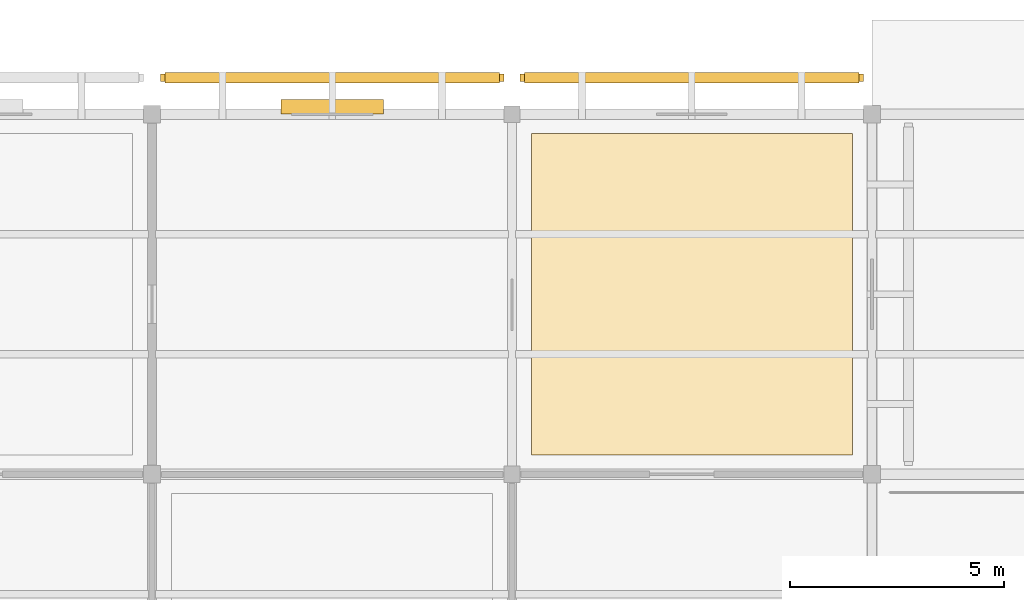
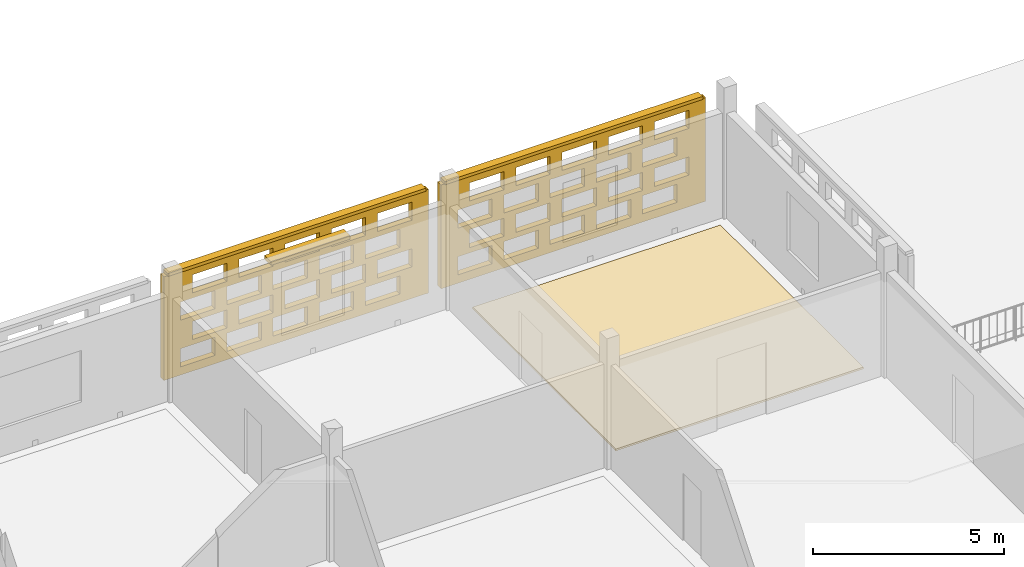
# One storey, part 30 of 31: 3 coverings, 3 shading devices, 40 openings.
"""IFC4 building model written with IfcOpenShell, lengths in metres."""

from ifc_helpers import new_model, si_unit, direction, frame, frame_2d, origin, origin_2d, place, context, subcontext, project, spatial, rectangle, extrude, material, layer, layer_set, type_object, element, save


model = new_model("IFC4")

# Units and contexts
model_context = context("Model", 3, precision=1e-05, world=origin(), true_north=direction((0.0, 1.0)))
body_context = subcontext(model_context, "Body", "Model", "MODEL_VIEW")
ifc_project = project(units=[si_unit("LENGTHUNIT", "METRE"), si_unit("AREAUNIT", "SQUARE_METRE"), si_unit("VOLUMEUNIT", "CUBIC_METRE"), si_unit("PLANEANGLEUNIT", "RADIAN"), si_unit("MASSUNIT", "GRAM", prefix="KILO")], contexts=[model_context])

# Site, building, storey
site_placement = place(None, origin())
site = spatial("IfcSite", under=ifc_project, at=site_placement, CompositionType="ELEMENT")
building_placement = place(site_placement, origin())
building = spatial("IfcBuilding", under=site, at=building_placement, Name="Varnapada Polytechnic", CompositionType="ELEMENT")
storey_placement = place(building_placement, frame((0.0, 0.0, 22.199951171875)))
storey = spatial("IfcBuildingStorey", under=building, at=storey_placement, Name="L05", CompositionType="ELEMENT", Elevation=22.199951171875)

# Covering
ifc_material_1 = material(Name="Anti-Static Raised Laboratory Flooring")
ifc_layer_1 = layer(ifc_material_1, 0.06005859375)
ifc_layer_set_1 = layer_set([ifc_layer_1], Name="Anti-Static Raised Laboratory Flooring")
covering_type_1 = type_object("IfcCoveringType", Name="Floor Finish FLR-02", PredefinedType="FLOORING", material=ifc_layer_set_1)
covering_1_placement = place(storey_placement, frame((21.0, 121.800048828125, 0.0), z_axis=(0.0, 0.0, 1.0), x_axis=(1.0, 0.0, 0.0)))
element("IfcCovering", 1, at=covering_1_placement, inside=storey, type_object=covering_type_1, Name="L05 floor finish panel (3,15)", PredefinedType="FLOORING", context=body_context, shape_type="SweptSolid", body=[
    extrude(rectangle(XDim=7.5, YDim=7.5, at=origin_2d()), origin(), (0.0, 0.0, 1.0), 0.06005859375),
])

# Shading device
ifc_material_2 = material(Name="Anodised aluminium", Category="aluminium")
ifc_layer_2 = layer(ifc_material_2, 0.35009765625)
ifc_layer_set_2 = layer_set([ifc_layer_2], Name="Anodised aluminium")
shading_device_type_1 = type_object("IfcShadingDeviceType", Name="Solar Louvre LVR-01", PredefinedType="JALOUSIE", material=ifc_layer_set_2)
shading_device_placement = place(storey_placement, frame((12.60498046875, 126.179931640625, 3.159912109375), z_axis=(0.0, 0.0, 1.0), x_axis=(1.0, 0.0, 0.0)))
element("IfcShadingDevice", 2, at=shading_device_placement, inside=storey, type_object=shading_device_type_1, Name="L05 aluminium sun louvre 13", PredefinedType="JALOUSIE", context=body_context, shape_type="SweptSolid", body=[
    extrude(rectangle(XDim=2.39990234375, YDim=0.340087890625, at=origin_2d()), origin(), (0.0, 0.0, 1.0), 0.1201171875),
])

# Covering, openings
ifc_material_3 = material(Name="Earth-toned architectural terracotta screen block", Category="masonry")
ifc_layer_3 = layer(ifc_material_3, 0.1201171875)
ifc_layer_set_3 = layer_set([ifc_layer_3], Name="Earth-toned architectural terracotta screen block")
covering_type_2 = type_object("IfcCoveringType", Name="Terracotta Screen Cladding CLD-01", PredefinedType="CLADDING", material=ifc_layer_set_3)
covering_2_placement = place(storey_placement, frame((8.60009765625, 126.85009765625, 0.0), z_axis=(0.0, 0.0, 1.0), x_axis=(1.0, 0.0, 0.0)))
covering_2 = element("IfcCovering", 3, at=covering_2_placement, inside=storey, type_object=covering_type_2, Name="L05 perforated terracotta block screen (13)", PredefinedType="CLADDING", context=body_context, shape_type="SweptSolid", body=[
    extrude(rectangle(XDim=8.010009765625, YDim=0.179931640625, at=frame_2d((4.0048828125, 0.0))), origin(), (0.0, 0.0, 1.0), 3.320068359375),
])
opening_1_placement = place(covering_2_placement, frame((0.5048828125, 0.0, 0.265625)))
element("IfcOpeningElement", 4, at=opening_1_placement, cuts=covering_2, Name="Screen perforation TBS-L05-012.1", PredefinedType="OPENING", context=body_context, shape_type="SweptSolid", body=[
    extrude(rectangle(XDim=1.0400390625, YDim=0.5810546875, at=frame_2d((0.52001953125, 0.29052734375))), frame((0.0, 0.099853515625, 0.0), z_axis=(0.0, -1.0, 0.0), x_axis=(1.0, 0.0, 0.0)), (0.0, 0.0, 1.0), 0.199951171875),
])
opening_2_placement = place(covering_2_placement, frame((1.905029296875, 0.0, 0.265625)))
element("IfcOpeningElement", 5, at=opening_2_placement, cuts=covering_2, Name="Screen perforation TBS-L05-012.2", PredefinedType="OPENING", context=body_context, shape_type="SweptSolid", body=[
    extrude(rectangle(XDim=1.0400390625, YDim=0.5810546875, at=frame_2d((0.52001953125, 0.29052734375))), frame((0.0, 0.099853515625, 0.0), z_axis=(0.0, -1.0, 0.0), x_axis=(1.0, 0.0, 0.0)), (0.0, 0.0, 1.0), 0.199951171875),
])
opening_3_placement = place(covering_2_placement, frame((3.304931640625, 0.0, 0.265625)))
element("IfcOpeningElement", 6, at=opening_3_placement, cuts=covering_2, Name="Screen perforation TBS-L05-012.3", PredefinedType="OPENING", context=body_context, shape_type="SweptSolid", body=[
    extrude(rectangle(XDim=1.0400390625, YDim=0.5810546875, at=frame_2d((0.52001953125, 0.29052734375))), frame((0.0, 0.099853515625, 0.0), z_axis=(0.0, -1.0, 0.0), x_axis=(1.0, 0.0, 0.0)), (0.0, 0.0, 1.0), 0.199951171875),
])
opening_4_placement = place(covering_2_placement, frame((4.705078125, 0.0, 0.265625)))
element("IfcOpeningElement", 7, at=opening_4_placement, cuts=covering_2, Name="Screen perforation TBS-L05-012.4", PredefinedType="OPENING", context=body_context, shape_type="SweptSolid", body=[
    extrude(rectangle(XDim=1.0400390625, YDim=0.5810546875, at=frame_2d((0.52001953125, 0.29052734375))), frame((0.0, 0.099853515625, 0.0), z_axis=(0.0, -1.0, 0.0), x_axis=(1.0, 0.0, 0.0)), (0.0, 0.0, 1.0), 0.199951171875),
])
opening_5_placement = place(covering_2_placement, frame((6.10498046875, 0.0, 0.265625)))
element("IfcOpeningElement", 8, at=opening_5_placement, cuts=covering_2, Name="Screen perforation TBS-L05-012.5", PredefinedType="OPENING", context=body_context, shape_type="SweptSolid", body=[
    extrude(rectangle(XDim=1.0400390625, YDim=0.5810546875, at=frame_2d((0.52001953125, 0.29052734375))), frame((0.0, 0.099853515625, 0.0), z_axis=(0.0, -1.0, 0.0), x_axis=(1.0, 0.0, 0.0)), (0.0, 0.0, 1.0), 0.199951171875),
])
opening_6_placement = place(covering_2_placement, frame((0.864990234375, 0.0, 1.0126953125)))
element("IfcOpeningElement", 9, at=opening_6_placement, cuts=covering_2, Name="Screen perforation TBS-L05-012.6", PredefinedType="OPENING", context=body_context, shape_type="SweptSolid", body=[
    extrude(rectangle(XDim=1.0400390625, YDim=0.5810546875, at=frame_2d((0.52001953125, 0.29052734375))), frame((0.0, 0.099853515625, 0.0), z_axis=(0.0, -1.0, 0.0), x_axis=(1.0, 0.0, 0.0)), (0.0, 0.0, 1.0), 0.199951171875),
])
opening_7_placement = place(covering_2_placement, frame((2.264892578125, 0.0, 1.0126953125)))
element("IfcOpeningElement", 10, at=opening_7_placement, cuts=covering_2, Name="Screen perforation TBS-L05-012.7", PredefinedType="OPENING", context=body_context, shape_type="SweptSolid", body=[
    extrude(rectangle(XDim=1.0400390625, YDim=0.5810546875, at=frame_2d((0.52001953125, 0.29052734375))), frame((0.0, 0.099853515625, 0.0), z_axis=(0.0, -1.0, 0.0), x_axis=(1.0, 0.0, 0.0)), (0.0, 0.0, 1.0), 0.199951171875),
])
opening_8_placement = place(covering_2_placement, frame((3.6650390625, 0.0, 1.0126953125)))
element("IfcOpeningElement", 11, at=opening_8_placement, cuts=covering_2, Name="Screen perforation TBS-L05-012.8", PredefinedType="OPENING", context=body_context, shape_type="SweptSolid", body=[
    extrude(rectangle(XDim=1.0400390625, YDim=0.5810546875, at=frame_2d((0.52001953125, 0.29052734375))), frame((0.0, 0.099853515625, 0.0), z_axis=(0.0, -1.0, 0.0), x_axis=(1.0, 0.0, 0.0)), (0.0, 0.0, 1.0), 0.199951171875),
])
opening_9_placement = place(covering_2_placement, frame((5.06494140625, 0.0, 1.0126953125)))
element("IfcOpeningElement", 12, at=opening_9_placement, cuts=covering_2, Name="Screen perforation TBS-L05-012.9", PredefinedType="OPENING", context=body_context, shape_type="SweptSolid", body=[
    extrude(rectangle(XDim=1.0400390625, YDim=0.5810546875, at=frame_2d((0.52001953125, 0.29052734375))), frame((0.0, 0.099853515625, 0.0), z_axis=(0.0, -1.0, 0.0), x_axis=(1.0, 0.0, 0.0)), (0.0, 0.0, 1.0), 0.199951171875),
])
opening_10_placement = place(covering_2_placement, frame((6.465087890625, 0.0, 1.0126953125)))
element("IfcOpeningElement", 13, at=opening_10_placement, cuts=covering_2, Name="Screen perforation TBS-L05-012.10", PredefinedType="OPENING", context=body_context, shape_type="SweptSolid", body=[
    extrude(rectangle(XDim=1.0400390625, YDim=0.5810546875, at=frame_2d((0.52001953125, 0.29052734375))), frame((0.0, 0.099853515625, 0.0), z_axis=(0.0, -1.0, 0.0), x_axis=(1.0, 0.0, 0.0)), (0.0, 0.0, 1.0), 0.199951171875),
])
opening_11_placement = place(covering_2_placement, frame((0.5048828125, 0.0, 1.759521484375)))
element("IfcOpeningElement", 14, at=opening_11_placement, cuts=covering_2, Name="Screen perforation TBS-L05-012.11", PredefinedType="OPENING", context=body_context, shape_type="SweptSolid", body=[
    extrude(rectangle(XDim=1.0400390625, YDim=0.5810546875, at=frame_2d((0.52001953125, 0.29052734375))), frame((0.0, 0.099853515625, 0.0), z_axis=(0.0, -1.0, 0.0), x_axis=(1.0, 0.0, 0.0)), (0.0, 0.0, 1.0), 0.199951171875),
])
opening_12_placement = place(covering_2_placement, frame((1.905029296875, 0.0, 1.759521484375)))
element("IfcOpeningElement", 15, at=opening_12_placement, cuts=covering_2, Name="Screen perforation TBS-L05-012.12", PredefinedType="OPENING", context=body_context, shape_type="SweptSolid", body=[
    extrude(rectangle(XDim=1.0400390625, YDim=0.5810546875, at=frame_2d((0.52001953125, 0.29052734375))), frame((0.0, 0.099853515625, 0.0), z_axis=(0.0, -1.0, 0.0), x_axis=(1.0, 0.0, 0.0)), (0.0, 0.0, 1.0), 0.199951171875),
])
opening_13_placement = place(covering_2_placement, frame((3.304931640625, 0.0, 1.759521484375)))
element("IfcOpeningElement", 16, at=opening_13_placement, cuts=covering_2, Name="Screen perforation TBS-L05-012.13", PredefinedType="OPENING", context=body_context, shape_type="SweptSolid", body=[
    extrude(rectangle(XDim=1.0400390625, YDim=0.5810546875, at=frame_2d((0.52001953125, 0.29052734375))), frame((0.0, 0.099853515625, 0.0), z_axis=(0.0, -1.0, 0.0), x_axis=(1.0, 0.0, 0.0)), (0.0, 0.0, 1.0), 0.199951171875),
])
opening_14_placement = place(covering_2_placement, frame((4.705078125, 0.0, 1.759521484375)))
element("IfcOpeningElement", 17, at=opening_14_placement, cuts=covering_2, Name="Screen perforation TBS-L05-012.14", PredefinedType="OPENING", context=body_context, shape_type="SweptSolid", body=[
    extrude(rectangle(XDim=1.0400390625, YDim=0.5810546875, at=frame_2d((0.52001953125, 0.29052734375))), frame((0.0, 0.099853515625, 0.0), z_axis=(0.0, -1.0, 0.0), x_axis=(1.0, 0.0, 0.0)), (0.0, 0.0, 1.0), 0.199951171875),
])
opening_15_placement = place(covering_2_placement, frame((6.10498046875, 0.0, 1.759521484375)))
element("IfcOpeningElement", 18, at=opening_15_placement, cuts=covering_2, Name="Screen perforation TBS-L05-012.15", PredefinedType="OPENING", context=body_context, shape_type="SweptSolid", body=[
    extrude(rectangle(XDim=1.0400390625, YDim=0.5810546875, at=frame_2d((0.52001953125, 0.29052734375))), frame((0.0, 0.099853515625, 0.0), z_axis=(0.0, -1.0, 0.0), x_axis=(1.0, 0.0, 0.0)), (0.0, 0.0, 1.0), 0.199951171875),
])
opening_16_placement = place(covering_2_placement, frame((0.864990234375, 0.0, 2.506591796875)))
element("IfcOpeningElement", 19, at=opening_16_placement, cuts=covering_2, Name="Screen perforation TBS-L05-012.16", PredefinedType="OPENING", context=body_context, shape_type="SweptSolid", body=[
    extrude(rectangle(XDim=1.0400390625, YDim=0.5810546875, at=frame_2d((0.52001953125, 0.29052734375))), frame((0.0, 0.099853515625, 0.0), z_axis=(0.0, -1.0, 0.0), x_axis=(1.0, 0.0, 0.0)), (0.0, 0.0, 1.0), 0.199951171875),
])
opening_17_placement = place(covering_2_placement, frame((2.264892578125, 0.0, 2.506591796875)))
element("IfcOpeningElement", 20, at=opening_17_placement, cuts=covering_2, Name="Screen perforation TBS-L05-012.17", PredefinedType="OPENING", context=body_context, shape_type="SweptSolid", body=[
    extrude(rectangle(XDim=1.0400390625, YDim=0.5810546875, at=frame_2d((0.52001953125, 0.29052734375))), frame((0.0, 0.099853515625, 0.0), z_axis=(0.0, -1.0, 0.0), x_axis=(1.0, 0.0, 0.0)), (0.0, 0.0, 1.0), 0.199951171875),
])
opening_18_placement = place(covering_2_placement, frame((3.6650390625, 0.0, 2.506591796875)))
element("IfcOpeningElement", 21, at=opening_18_placement, cuts=covering_2, Name="Screen perforation TBS-L05-012.18", PredefinedType="OPENING", context=body_context, shape_type="SweptSolid", body=[
    extrude(rectangle(XDim=1.0400390625, YDim=0.5810546875, at=frame_2d((0.52001953125, 0.29052734375))), frame((0.0, 0.099853515625, 0.0), z_axis=(0.0, -1.0, 0.0), x_axis=(1.0, 0.0, 0.0)), (0.0, 0.0, 1.0), 0.199951171875),
])
opening_19_placement = place(covering_2_placement, frame((5.06494140625, 0.0, 2.506591796875)))
element("IfcOpeningElement", 22, at=opening_19_placement, cuts=covering_2, Name="Screen perforation TBS-L05-012.19", PredefinedType="OPENING", context=body_context, shape_type="SweptSolid", body=[
    extrude(rectangle(XDim=1.0400390625, YDim=0.5810546875, at=frame_2d((0.52001953125, 0.29052734375))), frame((0.0, 0.099853515625, 0.0), z_axis=(0.0, -1.0, 0.0), x_axis=(1.0, 0.0, 0.0)), (0.0, 0.0, 1.0), 0.199951171875),
])
opening_20_placement = place(covering_2_placement, frame((6.465087890625, 0.0, 2.506591796875)))
element("IfcOpeningElement", 23, at=opening_20_placement, cuts=covering_2, Name="Screen perforation TBS-L05-012.20", PredefinedType="OPENING", context=body_context, shape_type="SweptSolid", body=[
    extrude(rectangle(XDim=1.0400390625, YDim=0.5810546875, at=frame_2d((0.52001953125, 0.29052734375))), frame((0.0, 0.099853515625, 0.0), z_axis=(0.0, -1.0, 0.0), x_axis=(1.0, 0.0, 0.0)), (0.0, 0.0, 1.0), 0.199951171875),
])

covering_3_placement = place(storey_placement, frame((16.989990234375, 126.85009765625, 0.0), z_axis=(0.0, 0.0, 1.0), x_axis=(1.0, 0.0, 0.0)))
covering_3 = element("IfcCovering", 24, at=covering_3_placement, inside=storey, type_object=covering_type_2, Name="L05 perforated terracotta block screen (23)", PredefinedType="CLADDING", context=body_context, shape_type="SweptSolid", body=[
    extrude(rectangle(XDim=8.010009765625, YDim=0.179931640625, at=frame_2d((4.0048828125, 0.0))), origin(), (0.0, 0.0, 1.0), 3.320068359375),
])
opening_21_placement = place(covering_3_placement, frame((0.5048828125, 0.0, 0.265625)))
element("IfcOpeningElement", 25, at=opening_21_placement, cuts=covering_3, Name="Screen perforation TBS-L05-022.1", PredefinedType="OPENING", context=body_context, shape_type="SweptSolid", body=[
    extrude(rectangle(XDim=1.0400390625, YDim=0.5810546875, at=frame_2d((0.52001953125, 0.29052734375))), frame((0.0, 0.099853515625, 0.0), z_axis=(0.0, -1.0, 0.0), x_axis=(1.0, 0.0, 0.0)), (0.0, 0.0, 1.0), 0.199951171875),
])
opening_22_placement = place(covering_3_placement, frame((1.905029296875, 0.0, 0.265625)))
element("IfcOpeningElement", 26, at=opening_22_placement, cuts=covering_3, Name="Screen perforation TBS-L05-022.2", PredefinedType="OPENING", context=body_context, shape_type="SweptSolid", body=[
    extrude(rectangle(XDim=1.0400390625, YDim=0.5810546875, at=frame_2d((0.52001953125, 0.29052734375))), frame((0.0, 0.099853515625, 0.0), z_axis=(0.0, -1.0, 0.0), x_axis=(1.0, 0.0, 0.0)), (0.0, 0.0, 1.0), 0.199951171875),
])
opening_23_placement = place(covering_3_placement, frame((3.304931640625, 0.0, 0.265625)))
element("IfcOpeningElement", 27, at=opening_23_placement, cuts=covering_3, Name="Screen perforation TBS-L05-022.3", PredefinedType="OPENING", context=body_context, shape_type="SweptSolid", body=[
    extrude(rectangle(XDim=1.0400390625, YDim=0.5810546875, at=frame_2d((0.52001953125, 0.29052734375))), frame((0.0, 0.099853515625, 0.0), z_axis=(0.0, -1.0, 0.0), x_axis=(1.0, 0.0, 0.0)), (0.0, 0.0, 1.0), 0.199951171875),
])
opening_24_placement = place(covering_3_placement, frame((4.705078125, 0.0, 0.265625)))
element("IfcOpeningElement", 28, at=opening_24_placement, cuts=covering_3, Name="Screen perforation TBS-L05-022.4", PredefinedType="OPENING", context=body_context, shape_type="SweptSolid", body=[
    extrude(rectangle(XDim=1.0400390625, YDim=0.5810546875, at=frame_2d((0.52001953125, 0.29052734375))), frame((0.0, 0.099853515625, 0.0), z_axis=(0.0, -1.0, 0.0), x_axis=(1.0, 0.0, 0.0)), (0.0, 0.0, 1.0), 0.199951171875),
])
opening_25_placement = place(covering_3_placement, frame((6.10498046875, 0.0, 0.265625)))
element("IfcOpeningElement", 29, at=opening_25_placement, cuts=covering_3, Name="Screen perforation TBS-L05-022.5", PredefinedType="OPENING", context=body_context, shape_type="SweptSolid", body=[
    extrude(rectangle(XDim=1.0400390625, YDim=0.5810546875, at=frame_2d((0.52001953125, 0.29052734375))), frame((0.0, 0.099853515625, 0.0), z_axis=(0.0, -1.0, 0.0), x_axis=(1.0, 0.0, 0.0)), (0.0, 0.0, 1.0), 0.199951171875),
])
opening_26_placement = place(covering_3_placement, frame((0.864990234375, 0.0, 1.0126953125)))
element("IfcOpeningElement", 30, at=opening_26_placement, cuts=covering_3, Name="Screen perforation TBS-L05-022.6", PredefinedType="OPENING", context=body_context, shape_type="SweptSolid", body=[
    extrude(rectangle(XDim=1.0400390625, YDim=0.5810546875, at=frame_2d((0.52001953125, 0.29052734375))), frame((0.0, 0.099853515625, 0.0), z_axis=(0.0, -1.0, 0.0), x_axis=(1.0, 0.0, 0.0)), (0.0, 0.0, 1.0), 0.199951171875),
])
opening_27_placement = place(covering_3_placement, frame((2.264892578125, 0.0, 1.0126953125)))
element("IfcOpeningElement", 31, at=opening_27_placement, cuts=covering_3, Name="Screen perforation TBS-L05-022.7", PredefinedType="OPENING", context=body_context, shape_type="SweptSolid", body=[
    extrude(rectangle(XDim=1.0400390625, YDim=0.5810546875, at=frame_2d((0.52001953125, 0.29052734375))), frame((0.0, 0.099853515625, 0.0), z_axis=(0.0, -1.0, 0.0), x_axis=(1.0, 0.0, 0.0)), (0.0, 0.0, 1.0), 0.199951171875),
])
opening_28_placement = place(covering_3_placement, frame((3.6650390625, 0.0, 1.0126953125)))
element("IfcOpeningElement", 32, at=opening_28_placement, cuts=covering_3, Name="Screen perforation TBS-L05-022.8", PredefinedType="OPENING", context=body_context, shape_type="SweptSolid", body=[
    extrude(rectangle(XDim=1.0400390625, YDim=0.5810546875, at=frame_2d((0.52001953125, 0.29052734375))), frame((0.0, 0.099853515625, 0.0), z_axis=(0.0, -1.0, 0.0), x_axis=(1.0, 0.0, 0.0)), (0.0, 0.0, 1.0), 0.199951171875),
])
opening_29_placement = place(covering_3_placement, frame((5.06494140625, 0.0, 1.0126953125)))
element("IfcOpeningElement", 33, at=opening_29_placement, cuts=covering_3, Name="Screen perforation TBS-L05-022.9", PredefinedType="OPENING", context=body_context, shape_type="SweptSolid", body=[
    extrude(rectangle(XDim=1.0400390625, YDim=0.5810546875, at=frame_2d((0.52001953125, 0.29052734375))), frame((0.0, 0.099853515625, 0.0), z_axis=(0.0, -1.0, 0.0), x_axis=(1.0, 0.0, 0.0)), (0.0, 0.0, 1.0), 0.199951171875),
])
opening_30_placement = place(covering_3_placement, frame((6.465087890625, 0.0, 1.0126953125)))
element("IfcOpeningElement", 34, at=opening_30_placement, cuts=covering_3, Name="Screen perforation TBS-L05-022.10", PredefinedType="OPENING", context=body_context, shape_type="SweptSolid", body=[
    extrude(rectangle(XDim=1.0400390625, YDim=0.5810546875, at=frame_2d((0.52001953125, 0.29052734375))), frame((0.0, 0.099853515625, 0.0), z_axis=(0.0, -1.0, 0.0), x_axis=(1.0, 0.0, 0.0)), (0.0, 0.0, 1.0), 0.199951171875),
])
opening_31_placement = place(covering_3_placement, frame((0.5048828125, 0.0, 1.759521484375)))
element("IfcOpeningElement", 35, at=opening_31_placement, cuts=covering_3, Name="Screen perforation TBS-L05-022.11", PredefinedType="OPENING", context=body_context, shape_type="SweptSolid", body=[
    extrude(rectangle(XDim=1.0400390625, YDim=0.5810546875, at=frame_2d((0.52001953125, 0.29052734375))), frame((0.0, 0.099853515625, 0.0), z_axis=(0.0, -1.0, 0.0), x_axis=(1.0, 0.0, 0.0)), (0.0, 0.0, 1.0), 0.199951171875),
])
opening_32_placement = place(covering_3_placement, frame((1.905029296875, 0.0, 1.759521484375)))
element("IfcOpeningElement", 36, at=opening_32_placement, cuts=covering_3, Name="Screen perforation TBS-L05-022.12", PredefinedType="OPENING", context=body_context, shape_type="SweptSolid", body=[
    extrude(rectangle(XDim=1.0400390625, YDim=0.5810546875, at=frame_2d((0.52001953125, 0.29052734375))), frame((0.0, 0.099853515625, 0.0), z_axis=(0.0, -1.0, 0.0), x_axis=(1.0, 0.0, 0.0)), (0.0, 0.0, 1.0), 0.199951171875),
])
opening_33_placement = place(covering_3_placement, frame((3.304931640625, 0.0, 1.759521484375)))
element("IfcOpeningElement", 37, at=opening_33_placement, cuts=covering_3, Name="Screen perforation TBS-L05-022.13", PredefinedType="OPENING", context=body_context, shape_type="SweptSolid", body=[
    extrude(rectangle(XDim=1.0400390625, YDim=0.5810546875, at=frame_2d((0.52001953125, 0.29052734375))), frame((0.0, 0.099853515625, 0.0), z_axis=(0.0, -1.0, 0.0), x_axis=(1.0, 0.0, 0.0)), (0.0, 0.0, 1.0), 0.199951171875),
])
opening_34_placement = place(covering_3_placement, frame((4.705078125, 0.0, 1.759521484375)))
element("IfcOpeningElement", 38, at=opening_34_placement, cuts=covering_3, Name="Screen perforation TBS-L05-022.14", PredefinedType="OPENING", context=body_context, shape_type="SweptSolid", body=[
    extrude(rectangle(XDim=1.0400390625, YDim=0.5810546875, at=frame_2d((0.52001953125, 0.29052734375))), frame((0.0, 0.099853515625, 0.0), z_axis=(0.0, -1.0, 0.0), x_axis=(1.0, 0.0, 0.0)), (0.0, 0.0, 1.0), 0.199951171875),
])
opening_35_placement = place(covering_3_placement, frame((6.10498046875, 0.0, 1.759521484375)))
element("IfcOpeningElement", 39, at=opening_35_placement, cuts=covering_3, Name="Screen perforation TBS-L05-022.15", PredefinedType="OPENING", context=body_context, shape_type="SweptSolid", body=[
    extrude(rectangle(XDim=1.0400390625, YDim=0.5810546875, at=frame_2d((0.52001953125, 0.29052734375))), frame((0.0, 0.099853515625, 0.0), z_axis=(0.0, -1.0, 0.0), x_axis=(1.0, 0.0, 0.0)), (0.0, 0.0, 1.0), 0.199951171875),
])
opening_36_placement = place(covering_3_placement, frame((0.864990234375, 0.0, 2.506591796875)))
element("IfcOpeningElement", 40, at=opening_36_placement, cuts=covering_3, Name="Screen perforation TBS-L05-022.16", PredefinedType="OPENING", context=body_context, shape_type="SweptSolid", body=[
    extrude(rectangle(XDim=1.0400390625, YDim=0.5810546875, at=frame_2d((0.52001953125, 0.29052734375))), frame((0.0, 0.099853515625, 0.0), z_axis=(0.0, -1.0, 0.0), x_axis=(1.0, 0.0, 0.0)), (0.0, 0.0, 1.0), 0.199951171875),
])
opening_37_placement = place(covering_3_placement, frame((2.264892578125, 0.0, 2.506591796875)))
element("IfcOpeningElement", 41, at=opening_37_placement, cuts=covering_3, Name="Screen perforation TBS-L05-022.17", PredefinedType="OPENING", context=body_context, shape_type="SweptSolid", body=[
    extrude(rectangle(XDim=1.0400390625, YDim=0.5810546875, at=frame_2d((0.52001953125, 0.29052734375))), frame((0.0, 0.099853515625, 0.0), z_axis=(0.0, -1.0, 0.0), x_axis=(1.0, 0.0, 0.0)), (0.0, 0.0, 1.0), 0.199951171875),
])
opening_38_placement = place(covering_3_placement, frame((3.6650390625, 0.0, 2.506591796875)))
element("IfcOpeningElement", 42, at=opening_38_placement, cuts=covering_3, Name="Screen perforation TBS-L05-022.18", PredefinedType="OPENING", context=body_context, shape_type="SweptSolid", body=[
    extrude(rectangle(XDim=1.0400390625, YDim=0.5810546875, at=frame_2d((0.52001953125, 0.29052734375))), frame((0.0, 0.099853515625, 0.0), z_axis=(0.0, -1.0, 0.0), x_axis=(1.0, 0.0, 0.0)), (0.0, 0.0, 1.0), 0.199951171875),
])
opening_39_placement = place(covering_3_placement, frame((5.06494140625, 0.0, 2.506591796875)))
element("IfcOpeningElement", 43, at=opening_39_placement, cuts=covering_3, Name="Screen perforation TBS-L05-022.19", PredefinedType="OPENING", context=body_context, shape_type="SweptSolid", body=[
    extrude(rectangle(XDim=1.0400390625, YDim=0.5810546875, at=frame_2d((0.52001953125, 0.29052734375))), frame((0.0, 0.099853515625, 0.0), z_axis=(0.0, -1.0, 0.0), x_axis=(1.0, 0.0, 0.0)), (0.0, 0.0, 1.0), 0.199951171875),
])
opening_40_placement = place(covering_3_placement, frame((6.465087890625, 0.0, 2.506591796875)))
element("IfcOpeningElement", 44, at=opening_40_placement, cuts=covering_3, Name="Screen perforation TBS-L05-022.20", PredefinedType="OPENING", context=body_context, shape_type="SweptSolid", body=[
    extrude(rectangle(XDim=1.0400390625, YDim=0.5810546875, at=frame_2d((0.52001953125, 0.29052734375))), frame((0.0, 0.099853515625, 0.0), z_axis=(0.0, -1.0, 0.0), x_axis=(1.0, 0.0, 0.0)), (0.0, 0.0, 1.0), 0.199951171875),
])

# Shading devices
ifc_layer_4 = layer(ifc_material_3, 0.179931640625)
ifc_layer_set_4 = layer_set([ifc_layer_4], Name="Earth-toned architectural terracotta screen block")
shading_device_type_2 = type_object("IfcShadingDeviceType", Name="Terracotta Screen SCR-01", PredefinedType="USERDEFINED", material=ifc_layer_set_4)
for number, where, z_axis, x_axis, name in (
    (45, (12.60498046875, 126.85009765625, 3.31005859375), (0.0, 0.0, 1.0), (1.0, 0.0, 0.0), "L05 perforated terracotta screen hood 488"),
    (46, (20.9951171875, 126.85009765625, 3.31005859375), (0.0, 0.0, 1.0), (1.0, 0.0, 0.0), "L05 perforated terracotta screen hood 491"),
):
    element("IfcShadingDevice", number, at=place(storey_placement, frame(where, z_axis=z_axis, x_axis=x_axis)), inside=storey, type_object=shading_device_type_2, Name=name, ObjectType="SCREEN", PredefinedType="USERDEFINED", context=body_context, shape_type="SweptSolid", body=[
        extrude(rectangle(XDim=7.81005859375, YDim=0.239990234375, at=origin_2d()), origin(), (0.0, 0.0, 1.0), 0.10009765625),
    ])

save(model, "model.ifc")
